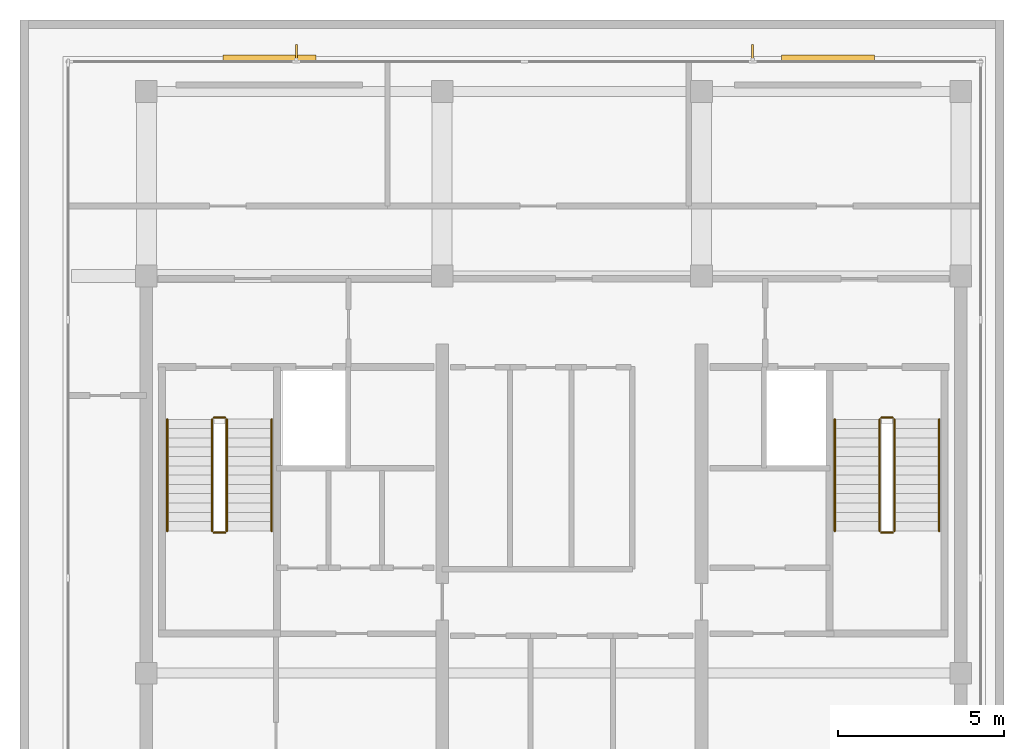
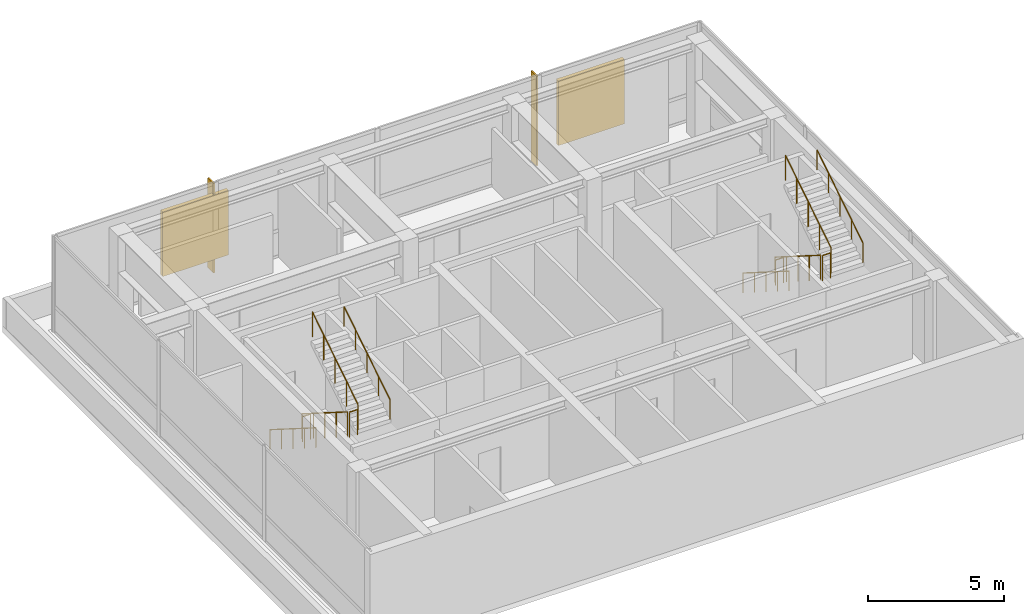
# One storey, part 5 of 5: 12 railings, 4 shading devices.
"""IFC4 building model written with IfcOpenShell, lengths in metres."""

import ifcopenshell
import ifcopenshell.guid

model = None  # the IFC model being written
_history = None  # IfcOwnerHistory: only IFC2X3 demands one
_inside = {}  # id of a spatial element -> (the spatial element, [elements in it])
_under = {}  # id of a project, library or spatial element -> (it, [spatial elements below it])
_declared = {}  # id of a project -> (the project, [libraries it declares])
_typed = {}  # id of a type object -> (the type object, [elements of that type])
_made_of = {}  # id of a material, layer set ... -> (it, [elements and type objects made of it])


def new_model(schema):
    """Start an empty IFC model of exactly this schema.

    Asked for "IFC4X3", IfcOpenShell would pick the latest addendum, in which some entities
    have other attributes; the version numbers below select the first issue.
    IFC2X3 requires an IfcOwnerHistory on every rooted entity: one is made here for all.
    """
    global model, _history
    if schema == "IFC4X3":
        model = ifcopenshell.file(schema_version=(4, 3, 0, 0))
    else:
        model = ifcopenshell.file(schema=schema)
    _inside.clear()
    _under.clear()
    _declared.clear()
    _typed.clear()
    _made_of.clear()
    _history = None
    if model.schema == "IFC2X3":
        org = make("IfcOrganization", Name="unknown")
        user = make(
            "IfcPersonAndOrganization",
            ThePerson=make("IfcPerson", FamilyName="unknown"),
            TheOrganization=org,
        )
        app = make(
            "IfcApplication",
            ApplicationDeveloper=org,
            Version="unknown",
            ApplicationFullName="unknown",
            ApplicationIdentifier="unknown",
        )
        _history = make(
            "IfcOwnerHistory",
            OwningUser=user,
            OwningApplication=app,
            ChangeAction="ADDED",
            CreationDate=0,
        )
    return model


def make(cls, **values):
    """One entity of the class cls with the attributes given. An attribute that is None is left unset."""
    return model.create_entity(
        cls, **{name: value for name, value in values.items() if value is not None}
    )


def rooted(cls, **values):
    """An entity with a GlobalId (a new one), such as an element, a storey or a relation."""
    return make(cls, GlobalId=ifcopenshell.guid.new(), OwnerHistory=_history, **values)


def si_unit(unit_type, name, prefix=None):
    """IfcSIUnit, for example si_unit("LENGTHUNIT", "METRE", prefix="MILLI")."""
    return make("IfcSIUnit", UnitType=unit_type, Prefix=prefix, Name=name)


def assignment(units):
    """IfcUnitAssignment: the units of a project."""
    return None if units is None else make("IfcUnitAssignment", Units=units)


def point(xyz):
    """IfcCartesianPoint."""
    return None if xyz is None else make("IfcCartesianPoint", Coordinates=xyz)


def direction(xyz):
    """IfcDirection."""
    return None if xyz is None else make("IfcDirection", DirectionRatios=xyz)


def frame(location, z_axis=None, x_axis=None):
    """IfcAxis2Placement3D, a coordinate frame: its origin and axes. An axis left out is left unset."""
    return make(
        "IfcAxis2Placement3D",
        Location=point(location),
        Axis=direction(z_axis),
        RefDirection=direction(x_axis),
    )


def frame_2d(location, x_axis=None):
    """IfcAxis2Placement2D, a coordinate frame in the plane: its origin and x axis."""
    return make(
        "IfcAxis2Placement2D", Location=point(location), RefDirection=direction(x_axis)
    )


def origin():
    """The frame at (0, 0, 0) with its axes left unset."""
    return frame((0.0, 0.0, 0.0))


def origin_2d():
    """The frame at (0, 0) in the plane with its x axis left unset."""
    return frame_2d((0.0, 0.0))


def place(relative_to, where):
    """IfcLocalPlacement: puts the frame where relative to a parent placement (None: the world)."""
    return make(
        "IfcLocalPlacement", PlacementRelTo=relative_to, RelativePlacement=where
    )


def context(
    kind, dimensions, precision=None, world=None, true_north=None, identifier=None
):
    """IfcGeometricRepresentationContext, for example the 3D "Model" context."""
    return make(
        "IfcGeometricRepresentationContext",
        ContextIdentifier=identifier,
        ContextType=kind,
        CoordinateSpaceDimension=dimensions,
        Precision=precision,
        WorldCoordinateSystem=world,
        TrueNorth=true_north,
    )


def subcontext(parent, identifier, kind, view, scale=None):
    """IfcGeometricRepresentationSubContext, for example "Body" below "Model"."""
    return make(
        "IfcGeometricRepresentationSubContext",
        ContextIdentifier=identifier,
        ContextType=kind,
        ParentContext=parent,
        TargetScale=scale,
        TargetView=view,
    )


def project(units=None, contexts=None):
    """IfcProject with its units and contexts."""
    return rooted(
        "IfcProject",
        Name="project",
        RepresentationContexts=contexts,
        UnitsInContext=assignment(units),
    )


def spatial(cls, under=None, at=None, **own):
    """A site, building, storey or space (cls), placed at a placement, below another one or the project."""
    s = rooted(cls, ObjectPlacement=at, **own)
    if under is not None:
        _under.setdefault(under.id(), (under, []))[1].append(s)
    return s


def polyline(points):
    """IfcPolyline through the points."""
    return make("IfcPolyline", Points=[point(p) for p in points])


def profile(cls, at=None, kind="AREA", **sizes):
    """A parametric profile (cls). Its sizes go by their IFC names, for example OverallWidth=200.0."""
    return make(cls, ProfileType=kind, Position=at, **sizes)


def circle(**sizes):
    """IfcCircleProfileDef."""
    return profile("IfcCircleProfileDef", **sizes)


def outline(outer, holes=None, kind="AREA"):
    """IfcArbitraryClosedProfileDef: a profile drawn as a closed curve; with holes, ...WithVoids."""
    if holes is None:
        return make("IfcArbitraryClosedProfileDef", ProfileType=kind, OuterCurve=outer)
    return make(
        "IfcArbitraryProfileDefWithVoids",
        ProfileType=kind,
        OuterCurve=outer,
        InnerCurves=holes,
    )


def extrude(swept, where, along, depth):
    """IfcExtrudedAreaSolid: the profile swept, set in the frame where, extruded along a direction by depth."""
    return make(
        "IfcExtrudedAreaSolid",
        SweptArea=swept,
        Position=where,
        ExtrudedDirection=direction(along),
        Depth=depth,
    )


def shape(context_of_items, identifier, shape_type, items):
    """IfcShapeRepresentation: the items that make up one representation, for example the "Body"."""
    return make(
        "IfcShapeRepresentation",
        ContextOfItems=context_of_items,
        RepresentationIdentifier=identifier,
        RepresentationType=shape_type,
        Items=items,
    )


def material(Name=None, Category=None):
    """IfcMaterial."""
    return make("IfcMaterial", Name=Name, Category=Category)


def layer(
    of_material, thickness, ventilated=None, Name=None, Category=None, Priority=None
):
    """IfcMaterialLayer: one layer of a wall or slab, of a material (None: an air gap)."""
    return make(
        "IfcMaterialLayer",
        Material=of_material,
        LayerThickness=thickness,
        IsVentilated=ventilated,
        Name=Name,
        Category=Category,
        Priority=Priority,
    )


def layer_set(layers, Name=None):
    """IfcMaterialLayerSet."""
    return make("IfcMaterialLayerSet", MaterialLayers=layers, LayerSetName=Name)


def made_of(thing, what):
    """Note that an element or type object is made of a material, layer set ...; save() writes the relation."""
    if what is not None:
        _made_of.setdefault(what.id(), (what, []))[1].append(thing)
    return thing


def type_object(cls, material=None, **own):
    """A type object (cls), such as IfcWallType, which elements share."""
    return made_of(rooted(cls, **own), material)


def element(
    cls,
    number,
    at=None,
    inside=None,
    cuts=None,
    type_object=None,
    material=None,
    context=None,
    identifier="Body",
    shape_type=None,
    held_by="IfcProductDefinitionShape",
    body=None,
    shapes=None,
    **own,
):
    """One element of the class cls, such as IfcWall. Its Tag is "e" and its number.

    at: its placement. inside: the storey or other place that contains it. cuts: it is an
    opening in that element (IfcRelVoidsElement). A single representation is given by context,
    identifier, shape_type and body (its items); several are given by shapes. held_by: the class
    of the entity that holds the representations. save() writes the other relations.
    """
    e = rooted(cls, Tag="e%d" % number, ObjectPlacement=at, **own)
    if body is not None:
        shapes = [shape(context, identifier, shape_type, body)]
    if shapes is not None:
        e.Representation = make(held_by, Representations=shapes)
    if inside is not None:
        _inside.setdefault(inside.id(), (inside, []))[1].append(e)
    if cuts is not None:
        rooted(
            "IfcRelVoidsElement", RelatingBuildingElement=cuts, RelatedOpeningElement=e
        )
    if type_object is not None:
        _typed.setdefault(type_object.id(), (type_object, []))[1].append(e)
    return made_of(e, material)


def aggregate(whole, parts):
    """IfcRelAggregates: a whole, such as a stair, and the parts it consists of."""
    return rooted("IfcRelAggregates", RelatingObject=whole, RelatedObjects=parts)


def save(model, path):
    """Write the relations noted so far, then the file.

    IfcRelAggregates (storeys below a building ...), IfcRelContainedInSpatialStructure (elements
    in a storey), IfcRelDefinesByType, IfcRelAssociatesMaterial and IfcRelDeclares: one each for
    every whole, place, type object, material and project.
    """
    for whole, parts in _under.values():
        aggregate(whole, parts)
    for where, things in _inside.values():
        rooted(
            "IfcRelContainedInSpatialStructure",
            RelatedElements=things,
            RelatingStructure=where,
        )
    for kind, things in _typed.values():
        rooted("IfcRelDefinesByType", RelatedObjects=things, RelatingType=kind)
    for what, things in _made_of.values():
        rooted("IfcRelAssociatesMaterial", RelatedObjects=things, RelatingMaterial=what)
    for by, libraries in _declared.values():
        rooted("IfcRelDeclares", RelatingContext=by, RelatedDefinitions=libraries)
    model.write(path)


model = new_model("IFC4")

# Units and contexts
model_context = context("Model", 3, precision=1e-05, world=origin(), true_north=direction((0.0, 1.0)))
body_context = subcontext(model_context, "Body", "Model", "MODEL_VIEW")
ifc_project = project(units=[si_unit("LENGTHUNIT", "METRE"), si_unit("AREAUNIT", "SQUARE_METRE"), si_unit("VOLUMEUNIT", "CUBIC_METRE"), si_unit("PLANEANGLEUNIT", "RADIAN"), si_unit("MASSUNIT", "GRAM", prefix="KILO")], contexts=[model_context])

# Site, building, storey
site_placement = place(None, origin())
site = spatial("IfcSite", under=ifc_project, at=site_placement, CompositionType="ELEMENT")
building_placement = place(site_placement, origin())
building = spatial("IfcBuilding", under=site, at=building_placement, Name="Qalmaran Belvedere Hotel", CompositionType="ELEMENT")
storey_placement = place(building_placement, frame((0.0, 0.0, 303.300048828125)))
storey = spatial("IfcBuildingStorey", under=building, at=storey_placement, Name="C02", CompositionType="ELEMENT", Elevation=303.300048828125)

# Shading devices
ifc_material_1 = material(Name="Anodised Bronze Aluminium", Category="aluminium")
ifc_layer_1 = layer(ifc_material_1, 0.06494140625, Name="Anodised Bronze Aluminium")
ifc_layer_set_1 = layer_set([ifc_layer_1], Name="Anodised Bronze Aluminium")
shading_device_type_1 = type_object("IfcShadingDeviceType", Name="FIN-BRNZ-420", PredefinedType="USERDEFINED", material=ifc_layer_set_1)
shading_device_1_placement = place(storey_placement, frame((0.0, 0.0, 0.159912109375)))
element("IfcShadingDevice", 1, at=shading_device_1_placement, inside=storey, type_object=shading_device_type_1, Name="C02 Bronze Fin 1", ObjectType="FIN", PredefinedType="USERDEFINED", context=body_context, shape_type="SweptSolid", body=[
    extrude(outline(polyline([(38.570068359375, 27.04248046875), (38.570068359375, 27.46240234375), (38.5048828125, 27.46240234375), (38.5048828125, 27.04248046875), (38.570068359375, 27.04248046875)])), origin(), (0.0, 0.0, 1.0), 4.02001953125),
])
shading_device_2_placement = place(storey_placement, frame((0.0, 0.0, 0.159912109375)))
element("IfcShadingDevice", 2, at=shading_device_2_placement, inside=storey, type_object=shading_device_type_1, Name="C02 Bronze Fin 3", ObjectType="FIN", PredefinedType="USERDEFINED", context=body_context, shape_type="SweptSolid", body=[
    extrude(outline(polyline([(24.844970703125, 27.04248046875), (24.844970703125, 27.46240234375), (24.780029296875, 27.46240234375), (24.780029296875, 27.04248046875), (24.844970703125, 27.04248046875)])), origin(), (0.0, 0.0, 1.0), 4.02001953125),
])
ifc_layer_2 = layer(ifc_material_1, 0.159912109375, Name="Anodised Bronze Aluminium")
ifc_layer_set_2 = layer_set([ifc_layer_2], Name="Anodised Bronze Aluminium")
shading_device_type_2 = type_object("IfcShadingDeviceType", Name="LVR-CROWN-160", PredefinedType="JALOUSIE", material=ifc_layer_set_2)
shading_device_3_placement = place(storey_placement, frame((0.0, 0.0, 0.800048828125)))
element("IfcShadingDevice", 3, at=shading_device_3_placement, inside=storey, type_object=shading_device_type_2, Name="C02 Crown Louvre 1", PredefinedType="JALOUSIE", context=body_context, shape_type="SweptSolid", body=[
    extrude(outline(polyline([(22.60009765625, 26.97998046875), (25.39990234375, 26.97998046875), (25.39990234375, 27.139892578125), (22.60009765625, 27.139892578125), (22.60009765625, 26.97998046875)])), origin(), (0.0, 0.0, 1.0), 2.89990234375),
])
shading_device_4_placement = place(storey_placement, frame((0.0, 0.0, 0.800048828125)))
element("IfcShadingDevice", 4, at=shading_device_4_placement, inside=storey, type_object=shading_device_type_2, Name="C02 Crown Louvre 2", PredefinedType="JALOUSIE", context=body_context, shape_type="SweptSolid", body=[
    extrude(outline(polyline([(39.39990234375, 26.97998046875), (42.199951171875, 26.97998046875), (42.199951171875, 27.139892578125), (39.39990234375, 27.139892578125), (39.39990234375, 26.97998046875)])), origin(), (0.0, 0.0, 1.0), 2.89990234375),
])

# Railings
ifc_material_2 = material(Name="Stainless Steel 1.4401", Category="steel")
railing_type_1 = type_object("IfcRailingType", Name="RLG-STAIR-GUARD-1150", PredefinedType="GUARDRAIL", material=ifc_material_2)
railing_1_placement = place(storey_placement, frame((22.280029296875, 16.18994140625, 0.1767578125)))
element("IfcRailing", 5, at=railing_1_placement, inside=storey, type_object=railing_type_1, Name="C02 ST-1 stair guard 1", PredefinedType="GUARDRAIL", context=body_context, shape_type="SweptSolid", body=[
    extrude(circle(Radius=0.02392578125, at=origin_2d()), frame((0.0, 0.0, 1.1259765625), z_axis=(0.0, -0.845344368971, 0.534221768416), x_axis=(1.0, 0.0, 0.0)), (0.0, 0.0, 1.0), 3.974609375),
    extrude(circle(Radius=0.02099609375, at=origin_2d()), origin(), (0.0, 0.0, 1.0), 1.101806640625),
    extrude(circle(Radius=0.02099609375, at=origin_2d()), frame((0.0, -0.83984375, 0.53076171875)), (0.0, 0.0, 1.0), 1.101806640625),
    extrude(circle(Radius=0.02099609375, at=origin_2d()), frame((0.0, -1.679931640625, 1.0615234375)), (0.0, 0.0, 1.0), 1.101806640625),
    extrude(circle(Radius=0.02099609375, at=origin_2d()), frame((0.0, -2.52001953125, 1.592529296875)), (0.0, 0.0, 1.0), 1.101806640625),
    extrude(circle(Radius=0.02099609375, at=origin_2d()), frame((0.0, -3.35986328125, 2.123291015625)), (0.0, 0.0, 1.0), 1.101806640625),
])
railing_2_placement = place(storey_placement, frame((22.330078125, 12.780029296875, 2.300048828125)))
element("IfcRailing", 6, at=railing_2_placement, inside=storey, type_object=railing_type_1, Name="C02 ST-1 stair guard 2", PredefinedType="GUARDRAIL", context=body_context, shape_type="SweptSolid", body=[
    extrude(circle(Radius=0.02392578125, at=origin_2d()), frame((0.0, 0.0, 1.1259765625), z_axis=(1.0, 0.0, 0.0), x_axis=(0.0, 1.0, 0.0)), (0.0, 0.0, 1.0), 0.33984375),
    extrude(circle(Radius=0.02099609375, at=origin_2d()), origin(), (0.0, 0.0, 1.0), 1.101806640625),
    extrude(circle(Radius=0.02099609375, at=origin_2d()), frame((0.33984375, 0.0, 0.0)), (0.0, 0.0, 1.0), 1.101806640625),
])
railing_3_placement = place(storey_placement, frame((22.719970703125, 12.830078125, 2.476806640625)))
element("IfcRailing", 7, at=railing_3_placement, inside=storey, type_object=railing_type_1, Name="C02 ST-1 stair guard 3", PredefinedType="GUARDRAIL", context=body_context, shape_type="SweptSolid", body=[
    extrude(circle(Radius=0.02392578125, at=origin_2d()), frame((0.0, 0.0, 1.1259765625), z_axis=(0.0, 0.845372108799, 0.534177870812), x_axis=(-1.0, 0.0, 0.0)), (0.0, 0.0, 1.0), 3.974365234375),
    extrude(circle(Radius=0.02099609375, at=origin_2d()), origin(), (0.0, 0.0, 1.0), 1.101806640625),
    extrude(circle(Radius=0.02099609375, at=origin_2d()), frame((0.0, 0.83984375, 0.53076171875)), (0.0, 0.0, 1.0), 1.101806640625),
    extrude(circle(Radius=0.02099609375, at=origin_2d()), frame((0.0, 1.679931640625, 1.0615234375)), (0.0, 0.0, 1.0), 1.101806640625),
    extrude(circle(Radius=0.02099609375, at=origin_2d()), frame((0.0, 2.52001953125, 1.59228515625)), (0.0, 0.0, 1.0), 1.101806640625),
    extrude(circle(Radius=0.02099609375, at=origin_2d()), frame((0.0, 3.35986328125, 2.123046875)), (0.0, 0.0, 1.0), 1.101806640625),
])
railing_4_placement = place(storey_placement, frame((22.330078125, 16.239990234375, 0.0)))
element("IfcRailing", 8, at=railing_4_placement, inside=storey, type_object=railing_type_1, Name="C02 ST-1 stair guard 4", PredefinedType="GUARDRAIL", context=body_context, shape_type="SweptSolid", body=[
    extrude(circle(Radius=0.02392578125, at=origin_2d()), frame((0.0, 0.0, 1.1259765625), z_axis=(1.0, 0.0, 0.0), x_axis=(0.0, 1.0, 0.0)), (0.0, 0.0, 1.0), 0.33984375),
    extrude(circle(Radius=0.02099609375, at=origin_2d()), origin(), (0.0, 0.0, 1.0), 1.101806640625),
    extrude(circle(Radius=0.02099609375, at=origin_2d()), frame((0.33984375, 0.0, 0.0)), (0.0, 0.0, 1.0), 1.101806640625),
])
railing_5_placement = place(storey_placement, frame((42.360107421875, 16.18994140625, 0.1767578125)))
element("IfcRailing", 9, at=railing_5_placement, inside=storey, type_object=railing_type_1, Name="C02 ST-2 stair guard 1", PredefinedType="GUARDRAIL", context=body_context, shape_type="SweptSolid", body=[
    extrude(circle(Radius=0.02392578125, at=origin_2d()), frame((0.0, 0.0, 1.1259765625), z_axis=(0.0, -0.845344368971, 0.534221768416), x_axis=(1.0, 0.0, 0.0)), (0.0, 0.0, 1.0), 3.974609375),
    extrude(circle(Radius=0.02099609375, at=origin_2d()), origin(), (0.0, 0.0, 1.0), 1.101806640625),
    extrude(circle(Radius=0.02099609375, at=origin_2d()), frame((0.0, -0.83984375, 0.53076171875)), (0.0, 0.0, 1.0), 1.101806640625),
    extrude(circle(Radius=0.02099609375, at=origin_2d()), frame((0.0, -1.679931640625, 1.0615234375)), (0.0, 0.0, 1.0), 1.101806640625),
    extrude(circle(Radius=0.02099609375, at=origin_2d()), frame((0.0, -2.52001953125, 1.592529296875)), (0.0, 0.0, 1.0), 1.101806640625),
    extrude(circle(Radius=0.02099609375, at=origin_2d()), frame((0.0, -3.35986328125, 2.123291015625)), (0.0, 0.0, 1.0), 1.101806640625),
])
railing_6_placement = place(storey_placement, frame((42.409912109375, 12.780029296875, 2.300048828125)))
element("IfcRailing", 10, at=railing_6_placement, inside=storey, type_object=railing_type_1, Name="C02 ST-2 stair guard 2", PredefinedType="GUARDRAIL", context=body_context, shape_type="SweptSolid", body=[
    extrude(circle(Radius=0.02392578125, at=origin_2d()), frame((0.0, 0.0, 1.1259765625), z_axis=(1.0, 0.0, 0.0), x_axis=(0.0, 1.0, 0.0)), (0.0, 0.0, 1.0), 0.340087890625),
    extrude(circle(Radius=0.02099609375, at=origin_2d()), origin(), (0.0, 0.0, 1.0), 1.101806640625),
    extrude(circle(Radius=0.02099609375, at=origin_2d()), frame((0.340087890625, 0.0, 0.0)), (0.0, 0.0, 1.0), 1.101806640625),
])
railing_7_placement = place(storey_placement, frame((42.800048828125, 12.830078125, 2.476806640625)))
element("IfcRailing", 11, at=railing_7_placement, inside=storey, type_object=railing_type_1, Name="C02 ST-2 stair guard 3", PredefinedType="GUARDRAIL", context=body_context, shape_type="SweptSolid", body=[
    extrude(circle(Radius=0.02392578125, at=origin_2d()), frame((0.0, 0.0, 1.1259765625), z_axis=(0.0, 0.845372108799, 0.534177870812), x_axis=(-1.0, 0.0, 0.0)), (0.0, 0.0, 1.0), 3.974365234375),
    extrude(circle(Radius=0.02099609375, at=origin_2d()), origin(), (0.0, 0.0, 1.0), 1.101806640625),
    extrude(circle(Radius=0.02099609375, at=origin_2d()), frame((0.0, 0.83984375, 0.53076171875)), (0.0, 0.0, 1.0), 1.101806640625),
    extrude(circle(Radius=0.02099609375, at=origin_2d()), frame((0.0, 1.679931640625, 1.0615234375)), (0.0, 0.0, 1.0), 1.101806640625),
    extrude(circle(Radius=0.02099609375, at=origin_2d()), frame((0.0, 2.52001953125, 1.59228515625)), (0.0, 0.0, 1.0), 1.101806640625),
    extrude(circle(Radius=0.02099609375, at=origin_2d()), frame((0.0, 3.35986328125, 2.123046875)), (0.0, 0.0, 1.0), 1.101806640625),
])
railing_8_placement = place(storey_placement, frame((42.409912109375, 16.239990234375, 0.0)))
element("IfcRailing", 12, at=railing_8_placement, inside=storey, type_object=railing_type_1, Name="C02 ST-2 stair guard 4", PredefinedType="GUARDRAIL", context=body_context, shape_type="SweptSolid", body=[
    extrude(circle(Radius=0.02392578125, at=origin_2d()), frame((0.0, 0.0, 1.1259765625), z_axis=(1.0, 0.0, 0.0), x_axis=(0.0, 1.0, 0.0)), (0.0, 0.0, 1.0), 0.340087890625),
    extrude(circle(Radius=0.02099609375, at=origin_2d()), origin(), (0.0, 0.0, 1.0), 1.101806640625),
    extrude(circle(Radius=0.02099609375, at=origin_2d()), frame((0.340087890625, 0.0, 0.0)), (0.0, 0.0, 1.0), 1.101806640625),
])
railing_type_2 = type_object("IfcRailingType", Name="RLG-STAIR-HAND-910", PredefinedType="HANDRAIL", material=ifc_material_2)
railing_9_placement = place(storey_placement, frame((20.929931640625, 16.18994140625, 0.1767578125)))
element("IfcRailing", 13, at=railing_9_placement, inside=storey, type_object=railing_type_2, Name="C02 ST-1 stair handrail 1", PredefinedType="HANDRAIL", context=body_context, shape_type="SweptSolid", body=[
    extrude(circle(Radius=0.02392578125, at=origin_2d()), frame((0.0, 0.0, 0.8857421875), z_axis=(0.0, -0.845344368971, 0.534221768416), x_axis=(1.0, 0.0, 0.0)), (0.0, 0.0, 1.0), 3.974609375),
    extrude(circle(Radius=0.02099609375, at=origin_2d()), origin(), (0.0, 0.0, 1.0), 0.86181640625),
    extrude(circle(Radius=0.02099609375, at=origin_2d()), frame((0.0, -0.83984375, 0.53076171875)), (0.0, 0.0, 1.0), 0.86181640625),
    extrude(circle(Radius=0.02099609375, at=origin_2d()), frame((0.0, -1.679931640625, 1.0615234375)), (0.0, 0.0, 1.0), 0.86181640625),
    extrude(circle(Radius=0.02099609375, at=origin_2d()), frame((0.0, -2.52001953125, 1.592529296875)), (0.0, 0.0, 1.0), 0.86181640625),
    extrude(circle(Radius=0.02099609375, at=origin_2d()), frame((0.0, -3.35986328125, 2.123291015625)), (0.0, 0.0, 1.0), 0.86181640625),
])
railing_10_placement = place(storey_placement, frame((24.070068359375, 12.830078125, 2.476806640625)))
element("IfcRailing", 14, at=railing_10_placement, inside=storey, type_object=railing_type_2, Name="C02 ST-1 stair handrail 2", PredefinedType="HANDRAIL", context=body_context, shape_type="SweptSolid", body=[
    extrude(circle(Radius=0.02392578125, at=origin_2d()), frame((0.0, 0.0, 0.8857421875), z_axis=(0.0, 0.845372108799, 0.534177870812), x_axis=(-1.0, 0.0, 0.0)), (0.0, 0.0, 1.0), 3.974365234375),
    extrude(circle(Radius=0.02099609375, at=origin_2d()), origin(), (0.0, 0.0, 1.0), 0.86181640625),
    extrude(circle(Radius=0.02099609375, at=origin_2d()), frame((0.0, 0.83984375, 0.53076171875)), (0.0, 0.0, 1.0), 0.86181640625),
    extrude(circle(Radius=0.02099609375, at=origin_2d()), frame((0.0, 1.679931640625, 1.0615234375)), (0.0, 0.0, 1.0), 0.86181640625),
    extrude(circle(Radius=0.02099609375, at=origin_2d()), frame((0.0, 2.52001953125, 1.59228515625)), (0.0, 0.0, 1.0), 0.86181640625),
    extrude(circle(Radius=0.02099609375, at=origin_2d()), frame((0.0, 3.35986328125, 2.123046875)), (0.0, 0.0, 1.0), 0.86181640625),
])
railing_11_placement = place(storey_placement, frame((41.010009765625, 16.18994140625, 0.1767578125)))
element("IfcRailing", 15, at=railing_11_placement, inside=storey, type_object=railing_type_2, Name="C02 ST-2 stair handrail 1", PredefinedType="HANDRAIL", context=body_context, shape_type="SweptSolid", body=[
    extrude(circle(Radius=0.02392578125, at=origin_2d()), frame((0.0, 0.0, 0.8857421875), z_axis=(0.0, -0.845344368971, 0.534221768416), x_axis=(1.0, 0.0, 0.0)), (0.0, 0.0, 1.0), 3.974609375),
    extrude(circle(Radius=0.02099609375, at=origin_2d()), origin(), (0.0, 0.0, 1.0), 0.86181640625),
    extrude(circle(Radius=0.02099609375, at=origin_2d()), frame((0.0, -0.83984375, 0.53076171875)), (0.0, 0.0, 1.0), 0.86181640625),
    extrude(circle(Radius=0.02099609375, at=origin_2d()), frame((0.0, -1.679931640625, 1.0615234375)), (0.0, 0.0, 1.0), 0.86181640625),
    extrude(circle(Radius=0.02099609375, at=origin_2d()), frame((0.0, -2.52001953125, 1.592529296875)), (0.0, 0.0, 1.0), 0.86181640625),
    extrude(circle(Radius=0.02099609375, at=origin_2d()), frame((0.0, -3.35986328125, 2.123291015625)), (0.0, 0.0, 1.0), 0.86181640625),
])
railing_12_placement = place(storey_placement, frame((44.14990234375, 12.830078125, 2.476806640625)))
element("IfcRailing", 16, at=railing_12_placement, inside=storey, type_object=railing_type_2, Name="C02 ST-2 stair handrail 2", PredefinedType="HANDRAIL", context=body_context, shape_type="SweptSolid", body=[
    extrude(circle(Radius=0.02392578125, at=origin_2d()), frame((0.0, 0.0, 0.8857421875), z_axis=(0.0, 0.845372108799, 0.534177870812), x_axis=(-1.0, 0.0, 0.0)), (0.0, 0.0, 1.0), 3.974365234375),
    extrude(circle(Radius=0.02099609375, at=origin_2d()), origin(), (0.0, 0.0, 1.0), 0.86181640625),
    extrude(circle(Radius=0.02099609375, at=origin_2d()), frame((0.0, 0.83984375, 0.53076171875)), (0.0, 0.0, 1.0), 0.86181640625),
    extrude(circle(Radius=0.02099609375, at=origin_2d()), frame((0.0, 1.679931640625, 1.0615234375)), (0.0, 0.0, 1.0), 0.86181640625),
    extrude(circle(Radius=0.02099609375, at=origin_2d()), frame((0.0, 2.52001953125, 1.59228515625)), (0.0, 0.0, 1.0), 0.86181640625),
    extrude(circle(Radius=0.02099609375, at=origin_2d()), frame((0.0, 3.35986328125, 2.123046875)), (0.0, 0.0, 1.0), 0.86181640625),
])

save(model, "model.ifc")
